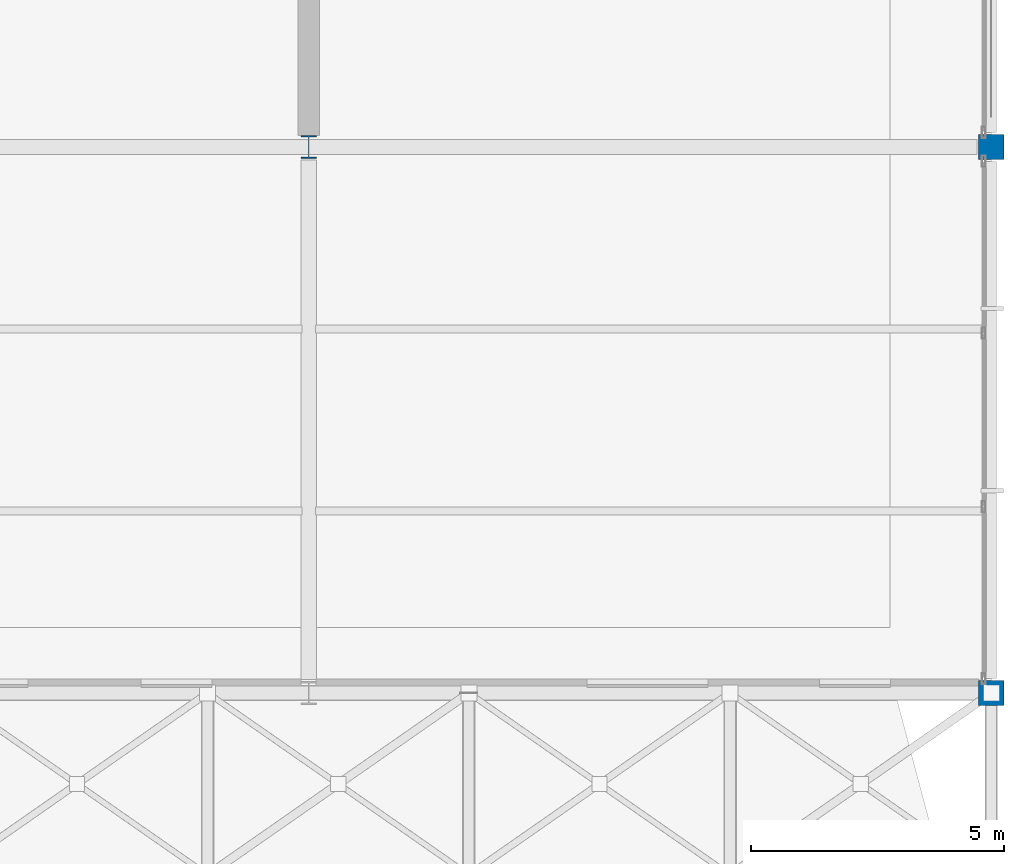
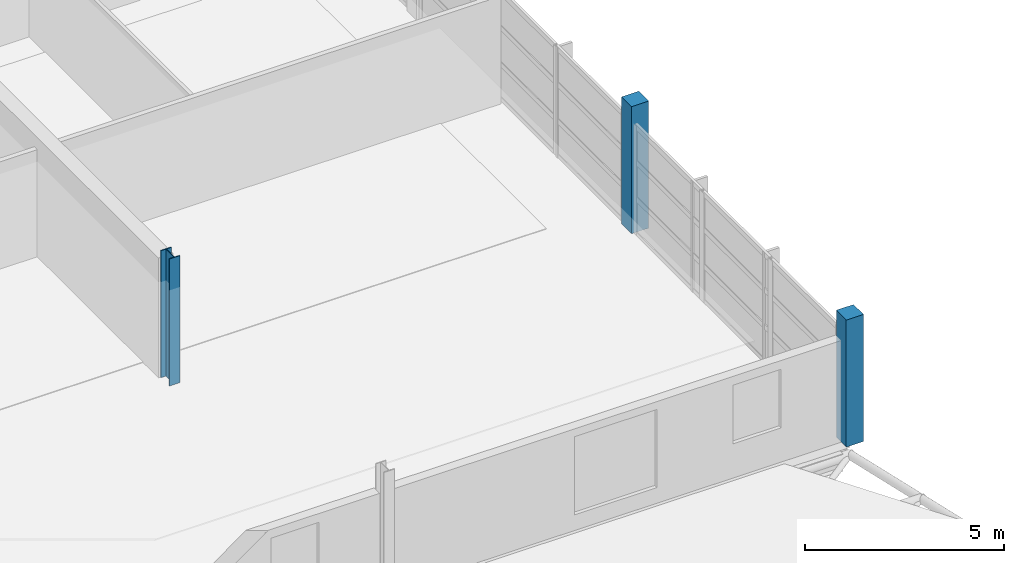
# One storey, part 7 of 110: 3 columns.
"""IFC4 building model written with IfcOpenShell, lengths in metres."""

from ifc_helpers import new_model, si_unit, direction, frame, origin, origin_2d, place, context, subcontext, project, spatial, rectangle, i_section, extrude, material, material_profile, profile_set, type_object, element, save


model = new_model("IFC4")

# Units and contexts
model_context = context("Model", 3, precision=1e-05, world=origin(), true_north=direction((0.0, 1.0)))
body_context = subcontext(model_context, "Body", "Model", "MODEL_VIEW")
ifc_project = project(units=[si_unit("LENGTHUNIT", "METRE"), si_unit("AREAUNIT", "SQUARE_METRE"), si_unit("VOLUMEUNIT", "CUBIC_METRE"), si_unit("PLANEANGLEUNIT", "RADIAN"), si_unit("MASSUNIT", "GRAM", prefix="KILO")], contexts=[model_context])

# Site, building, storey
site_placement = place(None, origin())
site = spatial("IfcSite", under=ifc_project, at=site_placement, CompositionType="ELEMENT")
building_placement = place(site_placement, origin())
building = spatial("IfcBuilding", under=site, at=building_placement, Name="Tamarisk Ironworks Central Station", CompositionType="ELEMENT")
storey_placement = place(building_placement, frame((0.0, 0.0, 17.39990234375)))
storey = spatial("IfcBuildingStorey", under=building, at=storey_placement, Name="L03", CompositionType="ELEMENT", Elevation=17.39990234375)

# Columns
ifc_material_1 = material(Name="Concrete C50/60", Category="concrete")
ifc_material_profile_1 = material_profile(ifc_material_1, rectangle(XDim=0.5, YDim=0.5, at=origin_2d()), Name="RC 500x500")
ifc_profile_set_1 = profile_set([ifc_material_profile_1], Name="Concrete C50/60")
column_type_1 = type_object("IfcColumnType", Name="COL-RC04", PredefinedType="COLUMN", material=ifc_profile_set_1)
for number, where, z_axis, x_axis, name in (
    (1, (180.0, 79.199951171875, 0.0), (0.0, 0.0, 1.0), (1.0, 0.0, 0.0), "L03 column V5-20G"),
    (2, (180.0, 90.0, 0.0), (0.0, 0.0, 1.0), (1.0, 0.0, 0.0), "L03 column V5-20H"),
):
    element("IfcColumn", number, at=place(storey_placement, frame(where, z_axis=z_axis, x_axis=x_axis)), inside=storey, type_object=column_type_1, Name=name, PredefinedType="COLUMN", context=body_context, shape_type="SweptSolid", body=[
        extrude(rectangle(XDim=0.5, YDim=0.5, at=origin_2d()), origin(), (0.0, 0.0, 1.0), 3.900146484375),
    ])
ifc_material_2 = material(Name="Structural steel S355J2", Category="steel")
ifc_material_profile_2 = material_profile(ifc_material_2, i_section(OverallWidth=0.300048828125, OverallDepth=0.449951171875, WebThickness=0.013916015625, FlangeThickness=0.02587890625, at=origin_2d()), Name="HEB 450")
ifc_profile_set_2 = profile_set([ifc_material_profile_2], Name="Structural steel S355J2")
column_type_2 = type_object("IfcColumnType", Name="COL-S08", PredefinedType="COLUMN", material=ifc_profile_set_2)
column_placement = place(storey_placement, frame((166.5, 90.0, 0.0), z_axis=(0.0, 0.0, 1.0), x_axis=(1.0, 0.0, 0.0)))
element("IfcColumn", 3, at=column_placement, inside=storey, type_object=column_type_2, Name="L03 column V5-19H", PredefinedType="COLUMN", context=body_context, shape_type="SweptSolid", body=[
    extrude(i_section(OverallWidth=0.300048828125, OverallDepth=0.449951171875, WebThickness=0.013916015625, FlangeThickness=0.02587890625, at=origin_2d()), origin(), (0.0, 0.0, 1.0), 3.900146484375),
])

save(model, "model.ifc")
